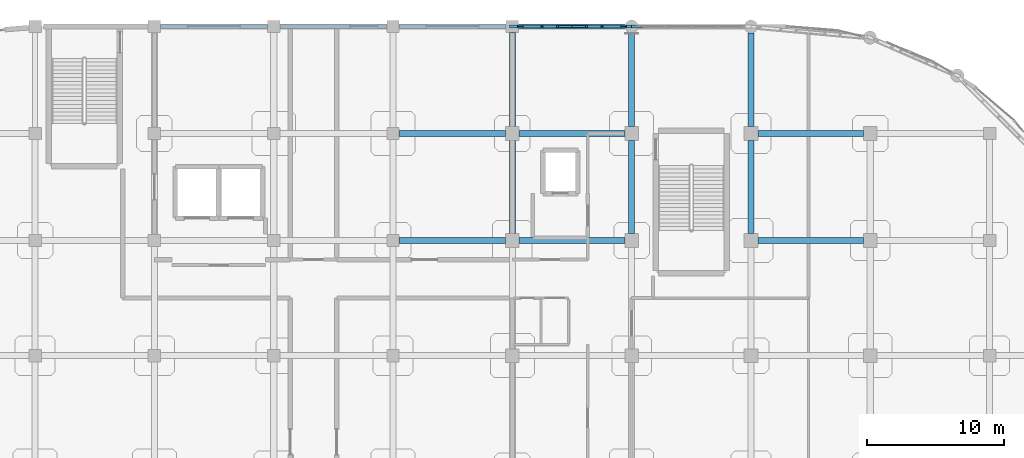
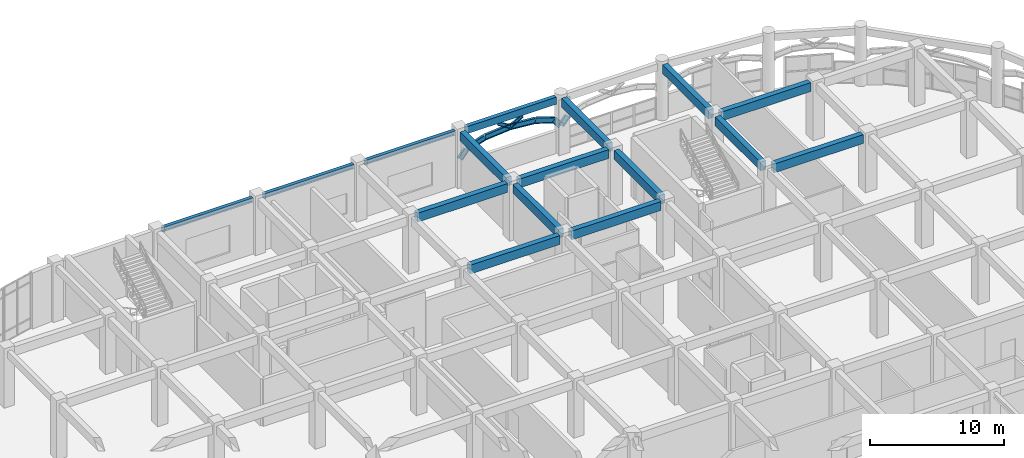
# One storey, part 48 of 114: 23 beams, 2 members.
"""IFC4 building model written with IfcOpenShell, lengths in metres."""

from ifc_helpers import new_model, si_unit, derived_unit, direction, frame, origin, origin_2d, place, context, subcontext, project, spatial, rectangle, i_section, extrude, material, material_profile, profile_set, type_object, element, save


model = new_model("IFC4")

# Units and contexts
model_context = context("Model", 3, precision=1e-05, world=origin(), true_north=direction((0.0, 1.0)))
body_context = subcontext(model_context, "Body", "Model", "MODEL_VIEW")
ifc_project = project(units=[si_unit("LENGTHUNIT", "METRE"), si_unit("AREAUNIT", "SQUARE_METRE"), si_unit("VOLUMEUNIT", "CUBIC_METRE"), si_unit("PLANEANGLEUNIT", "RADIAN"), si_unit("MASSUNIT", "GRAM", prefix="KILO"), derived_unit("THERMALTRANSMITTANCEUNIT", [(si_unit("MASSUNIT", "GRAM", prefix="KILO"), 1), (si_unit("TIMEUNIT", "SECOND"), -3), (si_unit("THERMODYNAMICTEMPERATUREUNIT", "KELVIN"), -1)])], contexts=[model_context])

# Site, building, storey
site_placement = place(None, origin())
site = spatial("IfcSite", under=ifc_project, at=site_placement, CompositionType="ELEMENT")
building_placement = place(site_placement, origin())
building = spatial("IfcBuilding", under=site, at=building_placement, Name="Qinzheling Arcade Emporium", CompositionType="ELEMENT")
storey_placement = place(building_placement, frame((0.0, 0.0, 6.0)))
storey = spatial("IfcBuildingStorey", under=building, at=storey_placement, Name="L02", CompositionType="ELEMENT", Elevation=6.0)

# Beams
ifc_material_1 = material(Name="Weathering steel Q355NH", Category="steel")
ifc_material_profile_1 = material_profile(ifc_material_1, i_section(OverallWidth=0.199951171875, OverallDepth=0.5, WebThickness=0.010009765625, FlangeThickness=0.01611328125, FilletRadius=0.01806640625, at=origin_2d()), Name="HN 500x200x10x16", Category="steel")
ifc_profile_set_1 = profile_set([ifc_material_profile_1], Name="Weathering steel Q355NH")
beam_type_1 = type_object("IfcBeamType", Name="Arcade End Arch Rib HN500 Q355NH", PredefinedType="BEAM", material=ifc_profile_set_1)
beam_1_placement = place(storey_placement, frame((104.39990234375, 114.60009765625, 2.2900390625), z_axis=(0.63358448173, 0.0, 0.773673512866), x_axis=(0.0, 1.0, 0.0)))
element("IfcBeam", 1, at=beam_1_placement, inside=storey, type_object=beam_type_1, Name="Street Entrance Arch ARC-L02-N01-C01", PredefinedType="BEAM", context=body_context, shape_type="SweptSolid", body=[
    extrude(i_section(OverallWidth=0.199951171875, OverallDepth=0.5, WebThickness=0.010009765625, FlangeThickness=0.01611328125, FilletRadius=0.01806640625, at=origin_2d()), origin(), (0.0, 0.0, 1.0), 0.920166015625),
])
beam_2_placement = place(storey_placement, frame((104.98291015625, 114.60009765625, 3.001953125), z_axis=(0.950230955364, 0.0, 0.311546355247), x_axis=(0.0, 1.0, 0.0)))
element("IfcBeam", 2, at=beam_2_placement, inside=storey, type_object=beam_type_1, Name="Street Entrance Arch ARC-L02-N01-C02", PredefinedType="BEAM", context=body_context, shape_type="SweptSolid", body=[
    extrude(i_section(OverallWidth=0.199951171875, OverallDepth=0.5, WebThickness=0.010009765625, FlangeThickness=0.01611328125, FilletRadius=0.01806640625, at=origin_2d()), origin(), (0.0, 0.0, 1.0), 1.675537109375),
])
for number, where, z_axis, x_axis, name in (
    (3, (106.574951171875, 114.60009765625, 3.52392578125), (0.996160024341, 0.0, 0.087551161641), (0.0, 1.0, 0.0), "Street Entrance Arch ARC-L02-N01-C03"),
    (4, (108.75, 114.60009765625, 3.715087890625), (0.996160024341, 0.0, -0.087551161641), (0.0, 1.0, 0.0), "Street Entrance Arch ARC-L02-N01-C04"),
):
    element("IfcBeam", number, at=place(storey_placement, frame(where, z_axis=z_axis, x_axis=x_axis)), inside=storey, type_object=beam_type_1, Name=name, PredefinedType="BEAM", context=body_context, shape_type="SweptSolid", body=[
        extrude(i_section(OverallWidth=0.199951171875, OverallDepth=0.5, WebThickness=0.010009765625, FlangeThickness=0.01611328125, FilletRadius=0.01806640625, at=origin_2d()), origin(), (0.0, 0.0, 1.0), 2.183349609375),
    ])
beam_3_placement = place(storey_placement, frame((110.925048828125, 114.60009765625, 3.52392578125), z_axis=(0.950230955364, 0.0, -0.311546355247), x_axis=(0.0, 1.0, 0.0)))
element("IfcBeam", 5, at=beam_3_placement, inside=storey, type_object=beam_type_1, Name="Street Entrance Arch ARC-L02-N01-C05", PredefinedType="BEAM", context=body_context, shape_type="SweptSolid", body=[
    extrude(i_section(OverallWidth=0.199951171875, OverallDepth=0.5, WebThickness=0.010009765625, FlangeThickness=0.01611328125, FilletRadius=0.01806640625, at=origin_2d()), origin(), (0.0, 0.0, 1.0), 1.675537109375),
])
for number, where, z_axis, x_axis, name in (
    (6, (112.51708984375, 114.60009765625, 3.001953125), (0.63358448173, 0.0, -0.773673512866), (0.0, 1.0, 0.0), "Street Entrance Arch ARC-L02-N01-C06"),
    (7, (113.10009765625, 114.60009765625, 2.2900390625), (0.63358448173, 0.0, 0.773673512866), (0.0, 1.0, 0.0), "Street Entrance Arch ARC-L02-N02-C01"),
):
    element("IfcBeam", number, at=place(storey_placement, frame(where, z_axis=z_axis, x_axis=x_axis)), inside=storey, type_object=beam_type_1, Name=name, PredefinedType="BEAM", context=body_context, shape_type="SweptSolid", body=[
        extrude(i_section(OverallWidth=0.199951171875, OverallDepth=0.5, WebThickness=0.010009765625, FlangeThickness=0.01611328125, FilletRadius=0.01806640625, at=origin_2d()), origin(), (0.0, 0.0, 1.0), 0.920166015625),
    ])

# Members
ifc_material_profile_2 = material_profile(ifc_material_1, i_section(OverallWidth=0.14990234375, OverallDepth=0.300048828125, WebThickness=0.006591796875, FlangeThickness=0.009033203125, FilletRadius=0.012939453125, at=origin_2d()), Name="HN 300x150x6.5x9", Category="steel")
ifc_profile_set_2 = profile_set([ifc_material_profile_2], Name="Weathering steel Q355NH")
member_type = type_object("IfcMemberType", Name="Arcade Spandrel Web Chord HN300 Q355NH", PredefinedType="CHORD", material=ifc_profile_set_2)
for number, where, z_axis, x_axis, name in (
    (8, (108.75, 114.60009765625, 3.72509765625), (-0.85393390348, 0.0, 0.520381483613), (0.0, -1.0, 0.0), "Street Spandrel Web Chord ASW-L02-N01-W1"),
    (9, (108.75, 114.60009765625, 3.72509765625), (0.85393390348, 0.0, 0.520381483613), (0.0, 1.0, 0.0), "Street Spandrel Web Chord ASW-L02-N01-W2"),
):
    element("IfcMember", number, at=place(storey_placement, frame(where, z_axis=z_axis, x_axis=x_axis)), inside=storey, type_object=member_type, Name=name, PredefinedType="CHORD", context=body_context, shape_type="SweptSolid", body=[
        extrude(i_section(OverallWidth=0.14990234375, OverallDepth=0.300048828125, WebThickness=0.006591796875, FlangeThickness=0.009033203125, FilletRadius=0.012939453125, at=origin_2d()), origin(), (0.0, 0.0, 1.0), 1.229736328125),
    ])

# Beams
ifc_material_2 = material(Name="Structural steel Q355B", Category="steel")
ifc_material_profile_3 = material_profile(ifc_material_2, i_section(OverallWidth=0.300048828125, OverallDepth=0.389892578125, WebThickness=0.010009765625, FlangeThickness=0.01611328125, FilletRadius=0.02001953125, at=origin_2d()), Name="HM 390x300x10x16", Category="steel")
ifc_profile_set_3 = profile_set([ifc_material_profile_3], Name="Structural steel Q355B")
beam_type_2 = type_object("IfcBeamType", Name="Loading Canopy Beam HM390 Q355B", PredefinedType="BEAM", material=ifc_profile_set_3)
for number, where, z_axis, x_axis, name in (
    (10, (78.75, 114.60009765625, 4.89501953125), (1.0, 0.0, 0.0), (0.0, 1.0, 0.0), "Beam BM-L02-X-P-10"),
    (11, (87.449951171875, 114.60009765625, 4.89501953125), (1.0, 0.0, 0.0), (0.0, 1.0, 0.0), "Beam BM-L02-X-P-11"),
    (12, (96.14990234375, 114.60009765625, 4.89501953125), (1.0, 0.0, 0.0), (0.0, 1.0, 0.0), "Beam BM-L02-X-P-12"),
):
    element("IfcBeam", number, at=place(storey_placement, frame(where, z_axis=z_axis, x_axis=x_axis)), inside=storey, type_object=beam_type_2, Name=name, PredefinedType="BEAM", context=body_context, shape_type="SweptSolid", body=[
        extrude(i_section(OverallWidth=0.300048828125, OverallDepth=0.389892578125, WebThickness=0.010009765625, FlangeThickness=0.01611328125, FilletRadius=0.02001953125, at=origin_2d()), origin(), (0.0, 0.0, 1.0), 7.800048828125),
    ])
ifc_material_3 = material(Name="Concrete C40", Category="concrete")
ifc_material_profile_4 = material_profile(ifc_material_3, rectangle(XDim=0.449951171875, YDim=0.800048828125, at=origin_2d()), Name="RC 450x800", Category="concrete")
ifc_profile_set_4 = profile_set([ifc_material_profile_4], Name="Concrete C40")
beam_type_3 = type_object("IfcBeamType", Name="RC Primary Frame Beam 450x800 C40", PredefinedType="BEAM", material=ifc_profile_set_4)
beam_4_placement = place(storey_placement, frame((96.14990234375, 99.0, 4.68994140625), z_axis=(1.0, 0.0, 0.0), x_axis=(0.0, 1.0, 0.0)))
element("IfcBeam", 13, at=beam_4_placement, inside=storey, type_object=beam_type_3, Name="Beam BM-L02-X-M-12", PredefinedType="BEAM", context=body_context, shape_type="SweptSolid", body=[
    extrude(rectangle(XDim=0.449951171875, YDim=0.800048828125, at=origin_2d()), origin(), (0.0, 0.0, 1.0), 7.75),
])
beam_5_placement = place(storey_placement, frame((104.89990234375, 99.0, 4.735107421875), z_axis=(1.0, 0.0, 0.0), x_axis=(0.0, 1.0, 0.0)))
element("IfcBeam", 14, at=beam_5_placement, inside=storey, type_object=beam_type_3, Name="Beam BM-L02-X-M-13", PredefinedType="BEAM", context=body_context, shape_type="SweptSolid", body=[
    extrude(rectangle(XDim=0.449951171875, YDim=0.800048828125, at=origin_2d()), origin(), (0.0, 0.0, 1.0), 7.7001953125),
])
beam_6_placement = place(storey_placement, frame((122.300048828125, 99.0, 4.735107421875), z_axis=(1.0, 0.0, 0.0), x_axis=(0.0, 1.0, 0.0)))
element("IfcBeam", 15, at=beam_6_placement, inside=storey, type_object=beam_type_3, Name="Beam BM-L02-X-M-15", PredefinedType="BEAM", context=body_context, shape_type="SweptSolid", body=[
    extrude(rectangle(XDim=0.449951171875, YDim=0.800048828125, at=origin_2d()), origin(), (0.0, 0.0, 1.0), 7.699951171875),
])
beam_7_placement = place(storey_placement, frame((96.14990234375, 106.800048828125, 4.68994140625), z_axis=(1.0, 0.0, 0.0), x_axis=(0.0, 1.0, 0.0)))
element("IfcBeam", 16, at=beam_7_placement, inside=storey, type_object=beam_type_3, Name="Beam BM-L02-X-N-12", PredefinedType="BEAM", context=body_context, shape_type="SweptSolid", body=[
    extrude(rectangle(XDim=0.449951171875, YDim=0.800048828125, at=origin_2d()), origin(), (0.0, 0.0, 1.0), 7.75),
])
beam_8_placement = place(storey_placement, frame((104.89990234375, 106.800048828125, 4.735107421875), z_axis=(1.0, 0.0, 0.0), x_axis=(0.0, 1.0, 0.0)))
element("IfcBeam", 17, at=beam_8_placement, inside=storey, type_object=beam_type_3, Name="Beam BM-L02-X-N-13", PredefinedType="BEAM", context=body_context, shape_type="SweptSolid", body=[
    extrude(rectangle(XDim=0.449951171875, YDim=0.800048828125, at=origin_2d()), origin(), (0.0, 0.0, 1.0), 7.7001953125),
])
beam_9_placement = place(storey_placement, frame((122.300048828125, 106.800048828125, 4.735107421875), z_axis=(1.0, 0.0, 0.0), x_axis=(0.0, 1.0, 0.0)))
element("IfcBeam", 18, at=beam_9_placement, inside=storey, type_object=beam_type_3, Name="Beam BM-L02-X-N-15", PredefinedType="BEAM", context=body_context, shape_type="SweptSolid", body=[
    extrude(rectangle(XDim=0.449951171875, YDim=0.800048828125, at=origin_2d()), origin(), (0.0, 0.0, 1.0), 7.699951171875),
])
beam_10_placement = place(storey_placement, frame((104.39990234375, 99.5, 4.68994140625), z_axis=(0.0, 1.0, 0.0), x_axis=(-1.0, 0.0, 0.0)))
element("IfcBeam", 19, at=beam_10_placement, inside=storey, type_object=beam_type_3, Name="Beam BM-L02-Y-13-M", PredefinedType="BEAM", context=body_context, shape_type="SweptSolid", body=[
    extrude(rectangle(XDim=0.449951171875, YDim=0.800048828125, at=origin_2d()), origin(), (0.0, 0.0, 1.0), 6.800048828125),
])
beam_11_placement = place(storey_placement, frame((104.39990234375, 107.300048828125, 4.68994140625), z_axis=(0.0, 1.0, 0.0), x_axis=(-1.0, 0.0, 0.0)))
element("IfcBeam", 20, at=beam_11_placement, inside=storey, type_object=beam_type_3, Name="Beam BM-L02-Y-13-N", PredefinedType="BEAM", context=body_context, shape_type="SweptSolid", body=[
    extrude(rectangle(XDim=0.449951171875, YDim=0.800048828125, at=origin_2d()), origin(), (0.0, 0.0, 1.0), 6.849853515625),
])
beam_12_placement = place(storey_placement, frame((113.10009765625, 99.5, 4.735107421875), z_axis=(0.0, 1.0, 0.0), x_axis=(-1.0, 0.0, 0.0)))
element("IfcBeam", 21, at=beam_12_placement, inside=storey, type_object=beam_type_3, Name="Beam BM-L02-Y-14-M", PredefinedType="BEAM", context=body_context, shape_type="SweptSolid", body=[
    extrude(rectangle(XDim=0.449951171875, YDim=0.800048828125, at=origin_2d()), origin(), (0.0, 0.0, 1.0), 6.800048828125),
])
beam_13_placement = place(storey_placement, frame((113.10009765625, 107.300048828125, 4.735107421875), z_axis=(0.0, 1.0, 0.0), x_axis=(-1.0, 0.0, 0.0)))
element("IfcBeam", 22, at=beam_13_placement, inside=storey, type_object=beam_type_3, Name="Beam BM-L02-Y-14-N", PredefinedType="BEAM", context=body_context, shape_type="SweptSolid", body=[
    extrude(rectangle(XDim=0.449951171875, YDim=0.800048828125, at=origin_2d()), origin(), (0.0, 0.0, 1.0), 6.824951171875),
])
beam_14_placement = place(storey_placement, frame((121.800048828125, 99.5, 4.735107421875), z_axis=(0.0, 1.0, 0.0), x_axis=(-1.0, 0.0, 0.0)))
element("IfcBeam", 23, at=beam_14_placement, inside=storey, type_object=beam_type_3, Name="Beam BM-L02-Y-15-M", PredefinedType="BEAM", context=body_context, shape_type="SweptSolid", body=[
    extrude(rectangle(XDim=0.449951171875, YDim=0.800048828125, at=origin_2d()), origin(), (0.0, 0.0, 1.0), 6.800048828125),
])
beam_15_placement = place(storey_placement, frame((121.800048828125, 107.300048828125, 4.735107421875), z_axis=(0.0, 1.0, 0.0), x_axis=(-1.0, 0.0, 0.0)))
element("IfcBeam", 24, at=beam_15_placement, inside=storey, type_object=beam_type_3, Name="Beam BM-L02-Y-15-N", PredefinedType="BEAM", context=body_context, shape_type="SweptSolid", body=[
    extrude(rectangle(XDim=0.449951171875, YDim=0.800048828125, at=origin_2d()), origin(), (0.0, 0.0, 1.0), 6.824951171875),
])
ifc_material_profile_5 = material_profile(ifc_material_3, rectangle(XDim=0.35009765625, YDim=0.64990234375, at=origin_2d()), Name="RC 350x650", Category="concrete")
ifc_profile_set_5 = profile_set([ifc_material_profile_5], Name="Concrete C40")
beam_type_4 = type_object("IfcBeamType", Name="RC Spandrel Edge Beam 350x650 C40", PredefinedType="SPANDREL", material=ifc_profile_set_5)
beam_16_placement = place(storey_placement, frame((104.85009765625, 114.60009765625, 4.81005859375), z_axis=(1.0, 0.0, 0.0), x_axis=(0.0, 1.0, 0.0)))
element("IfcBeam", 25, at=beam_16_placement, inside=storey, type_object=beam_type_4, Name="Beam BM-L02-X-P-13", PredefinedType="SPANDREL", context=body_context, shape_type="SweptSolid", body=[
    extrude(rectangle(XDim=0.35009765625, YDim=0.64990234375, at=origin_2d()), origin(), (0.0, 0.0, 1.0), 7.77490234375),
])

save(model, "model.ifc")
